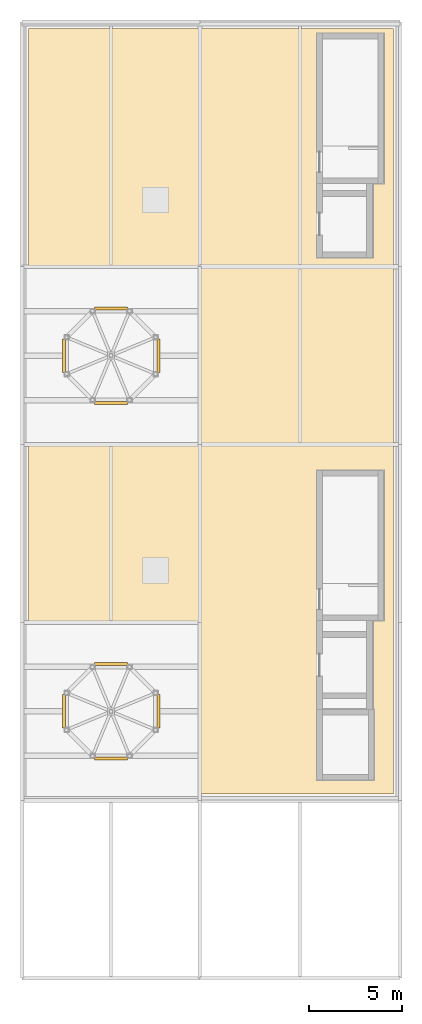
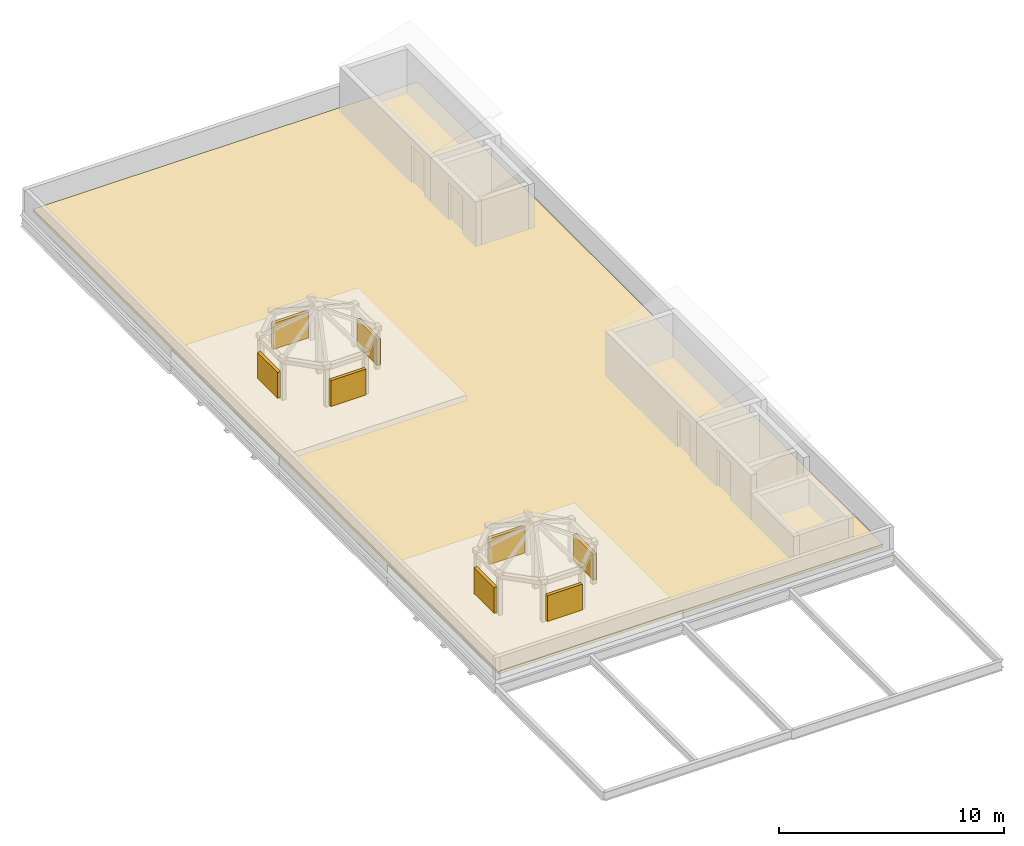
# One storey, part 5 of 5: 8 shading devices, 1 covering.
"""IFC4 building model written with IfcOpenShell, lengths in metres."""

from ifc_helpers import new_model, si_unit, direction, frame, origin, origin_2d, place, context, subcontext, project, spatial, polyline, rectangle, outline, extrude, material, layer, layer_set, type_object, element, save


model = new_model("IFC4")

# Units and contexts
model_context = context("Model", 3, precision=1e-05, world=origin(), true_north=direction((0.0, 1.0)))
body_context = subcontext(model_context, "Body", "Model", "MODEL_VIEW")
ifc_project = project(units=[si_unit("LENGTHUNIT", "METRE"), si_unit("AREAUNIT", "SQUARE_METRE"), si_unit("VOLUMEUNIT", "CUBIC_METRE"), si_unit("PLANEANGLEUNIT", "RADIAN"), si_unit("MASSUNIT", "GRAM", prefix="KILO")], contexts=[model_context])

# Site, building, storey
site_placement = place(None, origin())
site = spatial("IfcSite", under=ifc_project, at=site_placement, CompositionType="ELEMENT")
building_placement = place(site_placement, origin())
building = spatial("IfcBuilding", under=site, at=building_placement, Name="Almandine Court Research Institute", CompositionType="ELEMENT")
storey_placement = place(building_placement, frame((0.0, 0.0, 46.199951171875)))
storey = spatial("IfcBuildingStorey", under=building, at=storey_placement, Name="RF", CompositionType="ELEMENT", Elevation=46.199951171875)

# Covering
ifc_material_1 = material(Name="Extensive Andean Sedum Planted Green Roof Build-Up")
ifc_layer_1 = layer(ifc_material_1, 0.139892578125)
ifc_layer_set_1 = layer_set([ifc_layer_1], Name="Extensive Andean Sedum Planted Green Roof Build-Up")
covering_type = type_object("IfcCoveringType", Name="Cov-ROOF-GREEN", PredefinedType="ROOFING", material=ifc_layer_set_1)
covering_placement = place(storey_placement, origin())
element("IfcCovering", 1, at=covering_placement, inside=storey, type_object=covering_type, Name="RF Planted Green Roof Covering 09", PredefinedType="ROOFING", context=body_context, shape_type="SweptSolid", body=[
    extrude(outline(polyline([(153.949951171875, 15.949951171875), (153.949951171875, 57.25), (173.64990234375, 57.25), (173.64990234375, 15.949951171875), (153.949951171875, 15.949951171875)])), origin(), (0.0, 0.0, 1.0), 0.14013671875),
])

# Shading devices
ifc_material_2 = material(Name="Precast GFRC Chhajja Sunshade and Acoustic Louvre", Category="concrete")
ifc_layer_2 = layer(ifc_material_2, 0.080078125)
ifc_layer_set_2 = layer_set([ifc_layer_2], Name="Precast GFRC Chhajja Sunshade and Acoustic Louvre")
shading_device_type = type_object("IfcShadingDeviceType", Name="Shd-SD-92", PredefinedType="JALOUSIE", material=ifc_layer_set_2)
for number, where, z_axis, x_axis, name in (
    (2, (158.39990234375, 22.949951171875, 0.5), (0.0, 0.0, 1.0), (1.0, 0.0, 0.0), "RF Chhatri Exhaust Lantern Acoustic Louvre 1-1"),
    (3, (158.39990234375, 17.85009765625, 0.5), (0.0, 0.0, 1.0), (1.0, 0.0, 0.0), "RF Chhatri Exhaust Lantern Acoustic Louvre 1-2"),
    (4, (160.949951171875, 20.39990234375, 0.5), (0.0, 0.0, 1.0), (0.0, 1.0, 0.0), "RF Chhatri Exhaust Lantern Acoustic Louvre 1-3"),
    (5, (155.85009765625, 20.39990234375, 0.5), (0.0, 0.0, 1.0), (0.0, 1.0, 0.0), "RF Chhatri Exhaust Lantern Acoustic Louvre 1-4"),
    (6, (158.39990234375, 42.14990234375, 0.5), (0.0, 0.0, 1.0), (1.0, 0.0, 0.0), "RF Chhatri Exhaust Lantern Acoustic Louvre 2-1"),
    (7, (158.39990234375, 37.050048828125, 0.5), (0.0, 0.0, 1.0), (1.0, 0.0, 0.0), "RF Chhatri Exhaust Lantern Acoustic Louvre 2-2"),
    (8, (160.949951171875, 39.60009765625, 0.5), (0.0, 0.0, 1.0), (0.0, 1.0, 0.0), "RF Chhatri Exhaust Lantern Acoustic Louvre 2-3"),
    (9, (155.85009765625, 39.60009765625, 0.5), (0.0, 0.0, 1.0), (0.0, 1.0, 0.0), "RF Chhatri Exhaust Lantern Acoustic Louvre 2-4"),
):
    element("IfcShadingDevice", number, at=place(storey_placement, frame(where, z_axis=z_axis, x_axis=x_axis)), inside=storey, type_object=shading_device_type, Name=name, PredefinedType="JALOUSIE", context=body_context, shape_type="SweptSolid", body=[
        extrude(rectangle(XDim=1.800048828125, YDim=0.159912109375, at=origin_2d()), origin(), (0.0, 0.0, 1.0), 1.39990234375),
    ])

save(model, "model.ifc")
